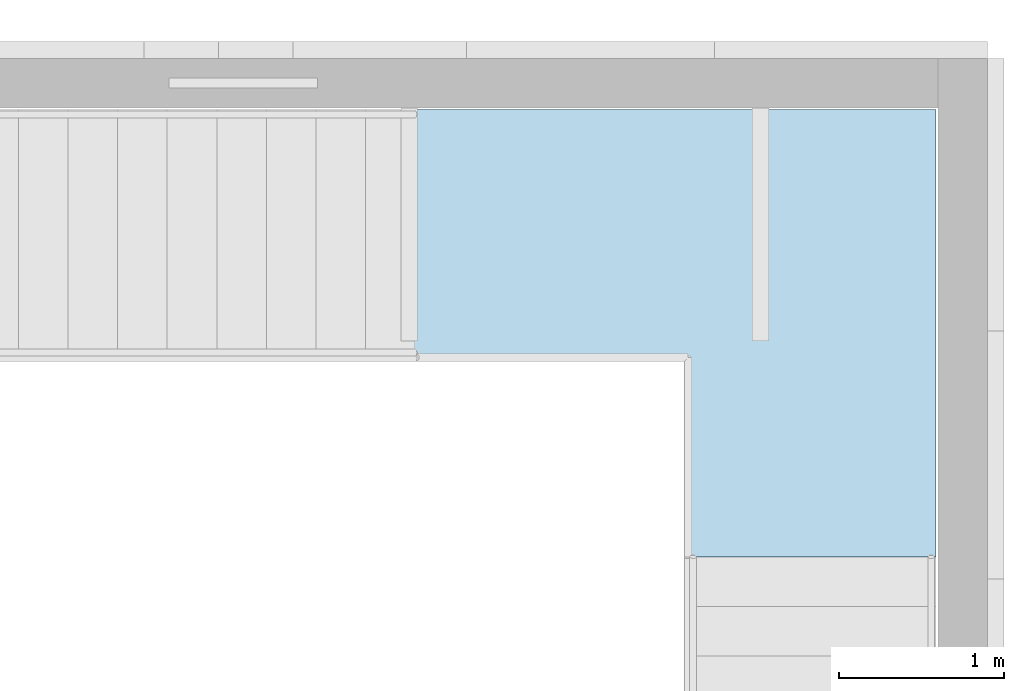
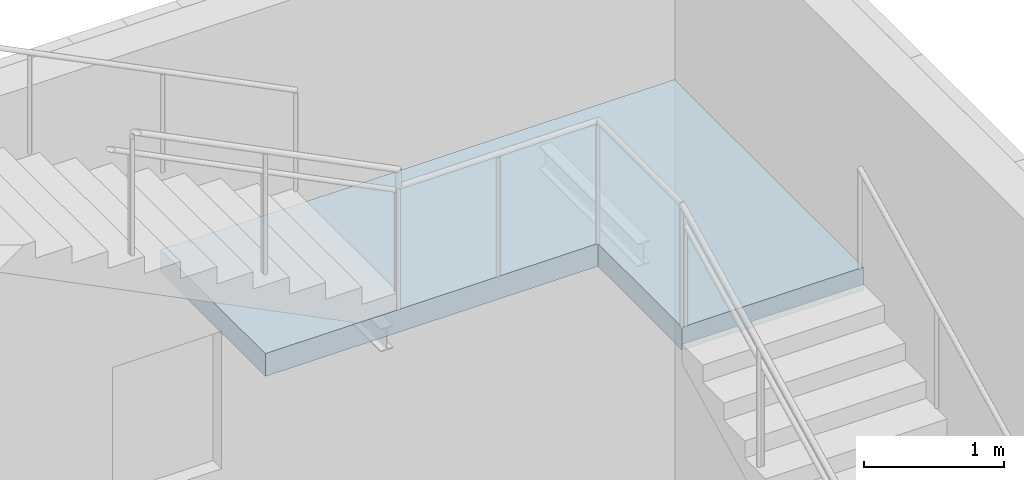
# One storey, part 36 of 56: 1 slab, 1 element without a shape of its own.
"""IFC4 building model written with IfcOpenShell, lengths in metres."""

from ifc_helpers import new_model, si_unit, direction, frame, origin, place, context, subcontext, project, spatial, polyline, outline, extrude, material, layer, layer_set, type_object, element, aggregate, save


model = new_model("IFC4")

# Units and contexts
model_context = context("Model", 3, precision=1e-05, world=origin(), true_north=direction((0.0, 1.0)))
body_context = subcontext(model_context, "Body", "Model", "MODEL_VIEW")
ifc_project = project(units=[si_unit("LENGTHUNIT", "METRE"), si_unit("AREAUNIT", "SQUARE_METRE"), si_unit("VOLUMEUNIT", "CUBIC_METRE"), si_unit("PLANEANGLEUNIT", "RADIAN"), si_unit("MASSUNIT", "GRAM", prefix="KILO")], contexts=[model_context])

# Site, building, storey
site_placement = place(None, origin())
site = spatial("IfcSite", under=ifc_project, at=site_placement, CompositionType="ELEMENT")
building_placement = place(site_placement, origin())
building = spatial("IfcBuilding", under=site, at=building_placement, Name="Azimuth Sports and Learning Centre", CompositionType="ELEMENT")
storey_placement = place(building_placement, frame((0.0, 0.0, 5.39990234375)))
storey = spatial("IfcBuildingStorey", under=building, at=storey_placement, Name="L01", CompositionType="ELEMENT", Elevation=5.39990234375)

# Stair, slab
ifc_material_1 = material(Name="Concrete C32/40", Category="concrete")
stair_type = type_object("IfcStairType", Name="Square-well stair end core 5400 storey", PredefinedType="THREE_QUARTER_TURN_STAIR", material=ifc_material_1)
stair_placement = place(storey_placement, origin())
stair = element("IfcStair", 1, at=stair_placement, inside=storey, type_object=stair_type, Name="Stair EW2 L01-L02", PredefinedType="THREE_QUARTER_TURN_STAIR")
ifc_material_2 = material(Name="Concrete C32/40", Category="concrete")
ifc_layer = layer(ifc_material_2, 0.199951171875)
ifc_layer_set = layer_set([ifc_layer], Name="Concrete C32/40")
slab_type = type_object("IfcSlabType", Name="Concrete stair landing", PredefinedType="LANDING", material=ifc_layer_set)
slab_placement = place(storey_placement, frame((0.0, 0.0, 3.400146484375)))
slab = element("IfcSlab", 2, at=slab_placement, type_object=slab_type, Name="Stair EW2 L01 landing 3", PredefinedType="LANDING", context=body_context, shape_type="SweptSolid", body=[
    extrude(outline(polyline([(169.340087890625, 115.340087890625), (169.340087890625, 114.13427734375), (170.840087890625, 114.13427734375), (170.840087890625, 116.840087890625), (166.590087890625, 116.840087890625), (166.590087890625, 115.340087890625), (169.340087890625, 115.340087890625)])), origin(), (0.0, 0.0, 1.0), 0.199951171875),
])
aggregate(stair, [slab])

save(model, "model.ifc")
